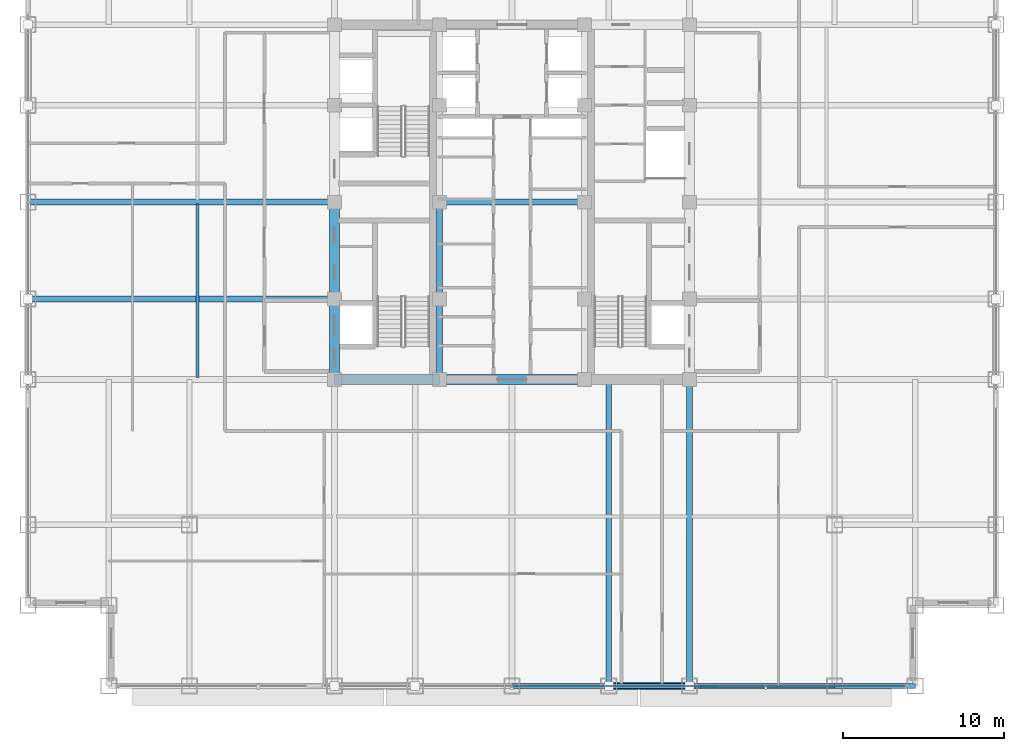
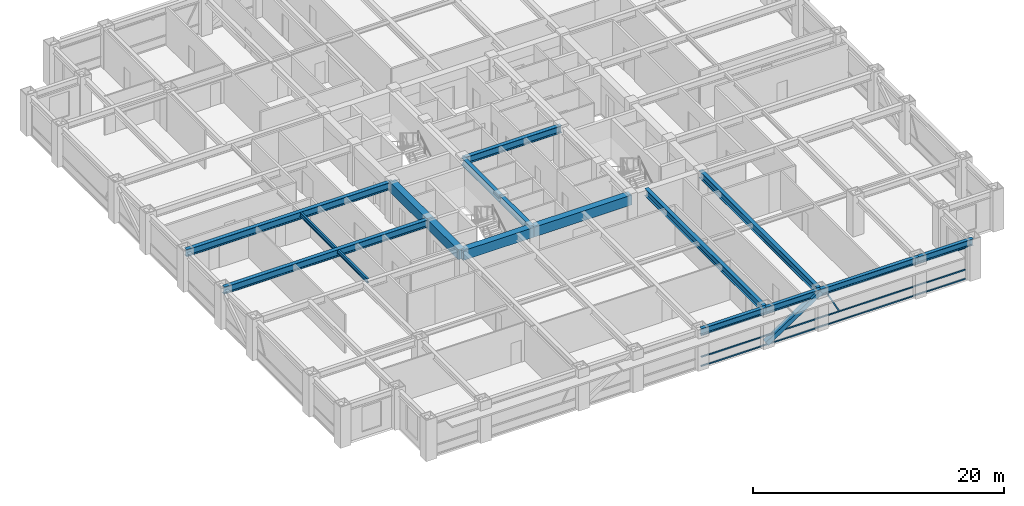
# One storey, part 7 of 29: 16 beams, 5 members, 1 element without a shape of its own.
"""IFC4 building model written with IfcOpenShell, lengths in metres."""

from ifc_helpers import new_model, si_unit, direction, frame, origin, origin_2d, place, context, subcontext, project, spatial, rectangle, hollow_rectangle, i_section, extrude, source, transform, mapped, material, material_profile, profile_set, type_object, element, aggregate, save


model = new_model("IFC4")

# Units and contexts
model_context = context("Model", 3, precision=1e-05, world=origin(), true_north=direction((0.0, 1.0)))
body_context = subcontext(model_context, "Body", "Model", "MODEL_VIEW")
ifc_project = project(units=[si_unit("LENGTHUNIT", "METRE"), si_unit("AREAUNIT", "SQUARE_METRE"), si_unit("VOLUMEUNIT", "CUBIC_METRE"), si_unit("PLANEANGLEUNIT", "RADIAN"), si_unit("MASSUNIT", "GRAM", prefix="KILO")], contexts=[model_context])

# Site, building, storey
site_placement = place(None, origin())
site = spatial("IfcSite", under=ifc_project, at=site_placement, CompositionType="ELEMENT")
building_placement = place(site_placement, origin())
building = spatial("IfcBuilding", under=site, at=building_placement, Name="Khorayat Bourse Tower", CompositionType="ELEMENT")
storey_placement = place(building_placement, frame((0.0, 0.0, 235.10009765625)))
storey = spatial("IfcBuildingStorey", under=building, at=storey_placement, Name="L55", CompositionType="ELEMENT", Elevation=235.10009765625)

# Beams
ifc_material_1 = material(Name="Steel ASTM A992 Grade 50", Category="steel")
ifc_material_profile_1 = material_profile(ifc_material_1, i_section(OverallWidth=0.35498046875, OverallDepth=0.695068359375, WebThickness=0.015380859375, FlangeThickness=0.02490234375, FilletRadius=0.01806640625, at=origin_2d()), Name="W690X217")
ifc_profile_set_1 = profile_set([ifc_material_profile_1], Name="Steel ASTM A992 Grade 50")
beam_type_1 = type_object("IfcBeamType", Name="BM-GIRD-690", PredefinedType="BEAM", material=ifc_profile_set_1)
shared_shape_1 = source(origin(), body_context, "Body", "SweptSolid", [
    extrude(i_section(OverallWidth=0.35498046875, OverallDepth=0.695068359375, WebThickness=0.015380859375, FlangeThickness=0.02490234375, FilletRadius=0.01806640625, at=origin_2d()), origin(), (0.0, 0.0, 1.0), 5.0),
])
beam_1_placement = place(storey_placement, frame((-4.5, -11.0, 3.432373046875), z_axis=(0.0, 1.0, 0.0), x_axis=(-1.0, 0.0, 0.0)))
element("IfcBeam", 1, at=beam_1_placement, inside=storey, type_object=beam_type_1, Name="L55 BM-GIRD-690 BM-L55-CRX-05", PredefinedType="BEAM", context=body_context, shape_type="MappedRepresentation", body=[
    mapped(shared_shape_1, transform((0.0, 0.0, 0.0), scale=1.0)),
])
shared_shape_2 = source(origin(), body_context, "Body", "SweptSolid", [
    extrude(i_section(OverallWidth=0.35498046875, OverallDepth=0.695068359375, WebThickness=0.015380859375, FlangeThickness=0.02490234375, FilletRadius=0.01806640625, at=origin_2d()), origin(), (0.0, 0.0, 1.0), 6.0),
])
beam_2_placement = place(storey_placement, frame((-4.5, -6.0, 3.432373046875), z_axis=(0.0, 1.0, 0.0), x_axis=(-1.0, 0.0, 0.0)))
element("IfcBeam", 2, at=beam_2_placement, inside=storey, type_object=beam_type_1, Name="L55 BM-GIRD-690 BM-L55-CRX-06", PredefinedType="BEAM", context=body_context, shape_type="MappedRepresentation", body=[
    mapped(shared_shape_2, transform((0.0, 0.0, 0.0), scale=1.0)),
])
shared_shape_3 = source(origin(), body_context, "Body", "SweptSolid", [
    extrude(i_section(OverallWidth=0.35498046875, OverallDepth=0.695068359375, WebThickness=0.015380859375, FlangeThickness=0.02490234375, FilletRadius=0.01806640625, at=origin_2d()), origin(), (0.0, 0.0, 1.0), 9.0),
])
beam_3_placement = place(storey_placement, frame((-4.5, 0.0, 3.432373046875), z_axis=(1.0, 0.0, 0.0), x_axis=(0.0, 1.0, 0.0)))
element("IfcBeam", 3, at=beam_3_placement, inside=storey, type_object=beam_type_1, Name="L55 BM-GIRD-690 BM-L55-CRY-23", PredefinedType="BEAM", context=body_context, shape_type="MappedRepresentation", body=[
    mapped(shared_shape_3, transform((0.0, 0.0, 0.0), scale=1.0)),
])
ifc_material_profile_2 = material_profile(ifc_material_1, i_section(OverallWidth=0.180908203125, OverallDepth=0.4169921875, WebThickness=0.010986328125, FlangeThickness=0.018310546875, FilletRadius=0.011962890625, at=origin_2d()), Name="W410X85")
ifc_profile_set_2 = profile_set([ifc_material_profile_2], Name="Steel ASTM A992 Grade 50")
beam_type_2 = type_object("IfcBeamType", Name="BM-JOIST-410", PredefinedType="JOIST", material=ifc_profile_set_2)
shared_shape_4 = source(origin(), body_context, "Body", "SweptSolid", [
    extrude(i_section(OverallWidth=0.180908203125, OverallDepth=0.4169921875, WebThickness=0.010986328125, FlangeThickness=0.018310546875, FilletRadius=0.011962890625, at=origin_2d()), origin(), (0.0, 0.0, 1.0), 10.740234375),
])
beam_4_placement = place(storey_placement, frame((-19.5, -10.8701171875, 3.5712890625), z_axis=(0.0, 1.0, 0.0), x_axis=(-1.0, 0.0, 0.0)))
element("IfcBeam", 4, at=beam_4_placement, inside=storey, type_object=beam_type_2, Name="L55 BM-JOIST-410 BM-L55-JSTY-102", PredefinedType="JOIST", context=body_context, shape_type="MappedRepresentation", body=[
    mapped(shared_shape_4, transform((0.0, 0.0, 0.0), scale=1.0)),
])
ifc_material_profile_3 = material_profile(ifc_material_1, i_section(OverallWidth=0.324951171875, OverallDepth=0.615966796875, WebThickness=0.013916015625, FlangeThickness=0.021484375, FilletRadius=0.01611328125, at=origin_2d()), Name="W610X174")
ifc_profile_set_3 = profile_set([ifc_material_profile_3], Name="Steel ASTM A992 Grade 50")
beam_type_3 = type_object("IfcBeamType", Name="BM-SPAN-610", PredefinedType="SPANDREL", material=ifc_profile_set_3)
shared_shape_5 = source(origin(), body_context, "Body", "SweptSolid", [
    extrude(i_section(OverallWidth=0.324951171875, OverallDepth=0.615966796875, WebThickness=0.013916015625, FlangeThickness=0.021484375, FilletRadius=0.01611328125, at=origin_2d()), origin(), (0.0, 0.0, 1.0), 9.0),
])
beam_5_placement = place(storey_placement, frame((11.0, -30.0, 3.471923828125), z_axis=(1.0, 0.0, 0.0), x_axis=(0.0, 1.0, 0.0)))
element("IfcBeam", 5, at=beam_5_placement, inside=storey, type_object=beam_type_3, Name="L55 BM-SPAN-610 BM-L55-SPN-030", PredefinedType="SPANDREL", context=body_context, shape_type="MappedRepresentation", body=[
    mapped(shared_shape_5, transform((0.0, 0.0, 0.0), scale=1.0)),
])
shared_shape_6 = source(origin(), body_context, "Body", "SweptSolid", [
    extrude(i_section(OverallWidth=0.324951171875, OverallDepth=0.615966796875, WebThickness=0.013916015625, FlangeThickness=0.021484375, FilletRadius=0.01611328125, at=origin_2d()), origin(), (0.0, 0.0, 1.0), 5.0),
])
for number, where, z_axis, x_axis, name in (
    (6, (6.0, -30.0, 3.471923828125), (1.0, 0.0, 0.0), (0.0, 1.0, 0.0), "L55 BM-SPAN-610 BM-L55-SPN-029"),
    (7, (20.0, -30.0, 3.471923828125), (1.0, 0.0, 0.0), (0.0, 1.0, 0.0), "L55 BM-SPAN-610 BM-L55-SPN-031"),
):
    element("IfcBeam", number, at=place(storey_placement, frame(where, z_axis=z_axis, x_axis=x_axis)), inside=storey, type_object=beam_type_3, Name=name, PredefinedType="SPANDREL", context=body_context, shape_type="MappedRepresentation", body=[
        mapped(shared_shape_6, transform((0.0, 0.0, 0.0), scale=1.0)),
    ])
shared_shape_7 = source(origin(), body_context, "Body", "SweptSolid", [
    extrude(i_section(OverallWidth=0.324951171875, OverallDepth=0.615966796875, WebThickness=0.013916015625, FlangeThickness=0.021484375, FilletRadius=0.01611328125, at=origin_2d()), origin(), (0.0, 0.0, 1.0), 6.0),
])
beam_6_placement = place(storey_placement, frame((0.0, -30.0, 3.471923828125), z_axis=(1.0, 0.0, 0.0), x_axis=(0.0, 1.0, 0.0)))
element("IfcBeam", 8, at=beam_6_placement, inside=storey, type_object=beam_type_3, Name="L55 BM-SPAN-610 BM-L55-SPN-028", PredefinedType="SPANDREL", context=body_context, shape_type="MappedRepresentation", body=[
    mapped(shared_shape_7, transform((0.0, 0.0, 0.0), scale=1.0)),
])
ifc_material_2 = material(Name="Concrete C60/75", Category="concrete")
ifc_material_profile_4 = material_profile(ifc_material_2, rectangle(XDim=0.60009765625, YDim=0.949951171875, at=origin_2d()), Name="RC 600x950")
ifc_profile_set_4 = profile_set([ifc_material_profile_4], Name="Concrete C60/75")
beam_type_4 = type_object("IfcBeamType", Name="BM-COUP-950", PredefinedType="BEAM", material=ifc_profile_set_4)
shared_shape_8 = source(origin(), body_context, "Body", "SweptSolid", [
    extrude(rectangle(XDim=0.60009765625, YDim=0.949951171875, at=origin_2d()), origin(), (0.0, 0.0, 1.0), 5.0),
])
beam_7_placement = place(storey_placement, frame((-11.0, -11.0, 3.304931640625), z_axis=(0.0, 1.0, 0.0), x_axis=(-1.0, 0.0, 0.0)))
element("IfcBeam", 9, at=beam_7_placement, inside=storey, type_object=beam_type_4, Name="L55 BM-COUP-950 BM-L55-CRX-01", PredefinedType="BEAM", context=body_context, shape_type="MappedRepresentation", body=[
    mapped(shared_shape_8, transform((0.0, 0.0, 0.0), scale=1.0)),
])
shared_shape_9 = source(origin(), body_context, "Body", "SweptSolid", [
    extrude(rectangle(XDim=0.60009765625, YDim=0.949951171875, at=origin_2d()), origin(), (0.0, 0.0, 1.0), 6.0),
])
beam_8_placement = place(storey_placement, frame((-11.0, -6.0, 3.304931640625), z_axis=(0.0, 1.0, 0.0), x_axis=(-1.0, 0.0, 0.0)))
element("IfcBeam", 10, at=beam_8_placement, inside=storey, type_object=beam_type_4, Name="L55 BM-COUP-950 BM-L55-CRX-02", PredefinedType="BEAM", context=body_context, shape_type="MappedRepresentation", body=[
    mapped(shared_shape_9, transform((0.0, 0.0, 0.0), scale=1.0)),
])
shared_shape_10 = source(origin(), body_context, "Body", "SweptSolid", [
    extrude(rectangle(XDim=0.60009765625, YDim=0.949951171875, at=origin_2d()), origin(), (0.0, 0.0, 1.0), 6.5),
])
beam_9_placement = place(storey_placement, frame((-11.0, -11.0, 3.304931640625), z_axis=(1.0, 0.0, 0.0), x_axis=(0.0, 1.0, 0.0)))
element("IfcBeam", 11, at=beam_9_placement, inside=storey, type_object=beam_type_4, Name="L55 BM-COUP-950 BM-L55-CRY-17", PredefinedType="BEAM", context=body_context, shape_type="MappedRepresentation", body=[
    mapped(shared_shape_10, transform((0.0, 0.0, 0.0), scale=1.0)),
])
shared_shape_11 = source(origin(), body_context, "Body", "SweptSolid", [
    extrude(rectangle(XDim=0.60009765625, YDim=0.949951171875, at=origin_2d()), origin(), (0.0, 0.0, 1.0), 9.0),
])
beam_10_placement = place(storey_placement, frame((-4.5, -11.0, 3.304931640625), z_axis=(1.0, 0.0, 0.0), x_axis=(0.0, 1.0, 0.0)))
element("IfcBeam", 12, at=beam_10_placement, inside=storey, type_object=beam_type_4, Name="L55 BM-COUP-950 BM-L55-CRY-18", PredefinedType="BEAM", context=body_context, shape_type="MappedRepresentation", body=[
    mapped(shared_shape_11, transform((0.0, 0.0, 0.0), scale=1.0)),
])
shared_shape_12 = source(origin(), body_context, "Body", "SweptSolid", [
    extrude(i_section(OverallWidth=0.35498046875, OverallDepth=0.695068359375, WebThickness=0.015380859375, FlangeThickness=0.02490234375, FilletRadius=0.01806640625, at=origin_2d()), origin(), (0.0, 0.0, 1.0), 19.0),
])
for number, where, z_axis, x_axis, name in (
    (13, (6.0, -30.0, 3.432373046875), (0.0, 1.0, 0.0), (-1.0, 0.0, 0.0), "L55 BM-GIRD-690 BM-L55-RADY-071"),
    (14, (11.0, -30.0, 3.432373046875), (0.0, 1.0, 0.0), (-1.0, 0.0, 0.0), "L55 BM-GIRD-690 BM-L55-RADY-073"),
    (15, (-30.0, -6.0, 3.432373046875), (1.0, 0.0, 0.0), (0.0, 1.0, 0.0), "L55 BM-GIRD-690 BM-L55-RADX-077"),
    (16, (-30.0, 0.0, 3.432373046875), (1.0, 0.0, 0.0), (0.0, 1.0, 0.0), "L55 BM-GIRD-690 BM-L55-RADX-079"),
):
    element("IfcBeam", number, at=place(storey_placement, frame(where, z_axis=z_axis, x_axis=x_axis)), inside=storey, type_object=beam_type_1, Name=name, PredefinedType="BEAM", context=body_context, shape_type="MappedRepresentation", body=[
        mapped(shared_shape_12, transform((0.0, 0.0, 0.0), scale=1.0)),
    ])

# Member
ifc_material_3 = material(Name="Steel EN 10025-4 S460M", Category="steel")
ifc_material_profile_5 = material_profile(ifc_material_3, hollow_rectangle(XDim=0.449951171875, YDim=0.449951171875, WallThickness=0.02490234375, at=origin_2d()), Name="HSS 450x450x25")
ifc_profile_set_5 = profile_set([ifc_material_profile_5], Name="Steel EN 10025-4 S460M")
member_type_1 = type_object("IfcMemberType", Name="MBR-TUBE-450", PredefinedType="BRACE", material=ifc_profile_set_5)
shared_shape_13 = source(origin(), body_context, "Body", "SweptSolid", [
    extrude(hollow_rectangle(XDim=0.449951171875, YDim=0.449951171875, WallThickness=0.02490234375, at=origin_2d()), origin(), (0.0, 0.0, 1.0), 5.979736328125),
])
member_1_placement = place(storey_placement, frame((6.0, -30.0, 0.25), z_axis=(0.836160261256, 0.0, 0.548485202623), x_axis=(0.0, 1.0, 0.0)))
element("IfcMember", 17, at=member_1_placement, inside=storey, type_object=member_type_1, Name="L55 Perimeter Tube Brace 02", PredefinedType="BRACE", context=body_context, shape_type="MappedRepresentation", body=[
    mapped(shared_shape_13, transform((0.0, 0.0, 0.0), scale=1.0)),
])

# Curtain wall, members
ifc_material_4 = material(Name="Aluminium EN AW-6063 T6", Category="aluminium")
curtain_wall_type = type_object("IfcCurtainWallType", Name="CW-SYS-03", PredefinedType="NOTDEFINED", material=ifc_material_4)
curtain_wall_placement = place(storey_placement, origin())
curtain_wall = element("IfcCurtainWall", 18, at=curtain_wall_placement, inside=storey, type_object=curtain_wall_type, Name="L55 Curtain Wall CW-L55-S1", PredefinedType="NOTDEFINED")
ifc_material_profile_6 = material_profile(ifc_material_4, hollow_rectangle(XDim=0.1201171875, YDim=0.1201171875, WallThickness=0.0048828125, at=origin_2d()), Name="ALU 120x120x5")
ifc_profile_set_6 = profile_set([ifc_material_profile_6], Name="Aluminium EN AW-6063 T6")
member_type_2 = type_object("IfcMemberType", Name="CWM-DIAG-120", PredefinedType="MULLION", material=ifc_profile_set_6)
shared_shape_14 = source(origin(), body_context, "Body", "SweptSolid", [
    extrude(hollow_rectangle(XDim=0.1201171875, YDim=0.1201171875, WallThickness=0.0048828125, at=origin_2d()), origin(), (0.0, 0.0, 1.0), 2.079345703125),
])
member_2_placement = place(storey_placement, frame((12.67919921875, -30.0, 1.08984375), z_axis=(-0.465760949701, 0.0, 0.884910581773), x_axis=(0.0, -1.0, 0.0)))
member_2 = element("IfcMember", 19, at=member_2_placement, type_object=member_type_2, Name="CW-L55-S1 Faceted Diagonal Mullion 2", PredefinedType="MULLION", context=body_context, shape_type="MappedRepresentation", body=[
    mapped(shared_shape_14, transform((0.0, 0.0, 0.0), scale=1.0)),
])
ifc_material_profile_7 = material_profile(ifc_material_4, hollow_rectangle(XDim=0.1201171875, YDim=0.1201171875, WallThickness=0.0048828125, at=origin_2d()), Name="ALU 120x120x5")
ifc_profile_set_7 = profile_set([ifc_material_profile_7], Name="Aluminium EN AW-6063 T6")
member_type_3 = type_object("IfcMemberType", Name="CWT-HORZ-120", PredefinedType="USERDEFINED", material=ifc_profile_set_7)
shared_shape_15 = source(origin(), body_context, "Body", "SweptSolid", [
    extrude(hollow_rectangle(XDim=0.1201171875, YDim=0.1201171875, WallThickness=0.0048828125, at=origin_2d()), origin(), (0.0, 0.0, 1.0), 24.27001953125),
])
member_3_placement = place(storey_placement, frame((0.06005859375, -30.0, 0.059814453125), z_axis=(1.0, 0.0, 0.0), x_axis=(0.0, 1.0, 0.0)))
member_3 = element("IfcMember", 20, at=member_3_placement, type_object=member_type_3, Name="CW-L55-S1 Horizontal Transom 2-1", ObjectType="TRANSOM", PredefinedType="USERDEFINED", context=body_context, shape_type="MappedRepresentation", body=[
    mapped(shared_shape_15, transform((0.0, 0.0, 0.0), scale=1.0)),
])
member_4_placement = place(storey_placement, frame((0.06005859375, -30.0, 0.949951171875), z_axis=(1.0, 0.0, 0.0), x_axis=(0.0, 1.0, 0.0)))
member_4 = element("IfcMember", 21, at=member_4_placement, type_object=member_type_3, Name="CW-L55-S1 Horizontal Transom 2-2", ObjectType="TRANSOM", PredefinedType="USERDEFINED", context=body_context, shape_type="MappedRepresentation", body=[
    mapped(shared_shape_15, transform((0.0, 0.0, 0.0), scale=1.0)),
])
member_5_placement = place(storey_placement, frame((0.06005859375, -30.0, 3.06982421875), z_axis=(1.0, 0.0, 0.0), x_axis=(0.0, 1.0, 0.0)))
member_5 = element("IfcMember", 22, at=member_5_placement, type_object=member_type_3, Name="CW-L55-S1 Horizontal Transom 2-3", ObjectType="TRANSOM", PredefinedType="USERDEFINED", context=body_context, shape_type="MappedRepresentation", body=[
    mapped(shared_shape_15, transform((0.0, 0.0, 0.0), scale=1.0)),
])
aggregate(curtain_wall, [member_3, member_4, member_5, member_2])

save(model, "model.ifc")
